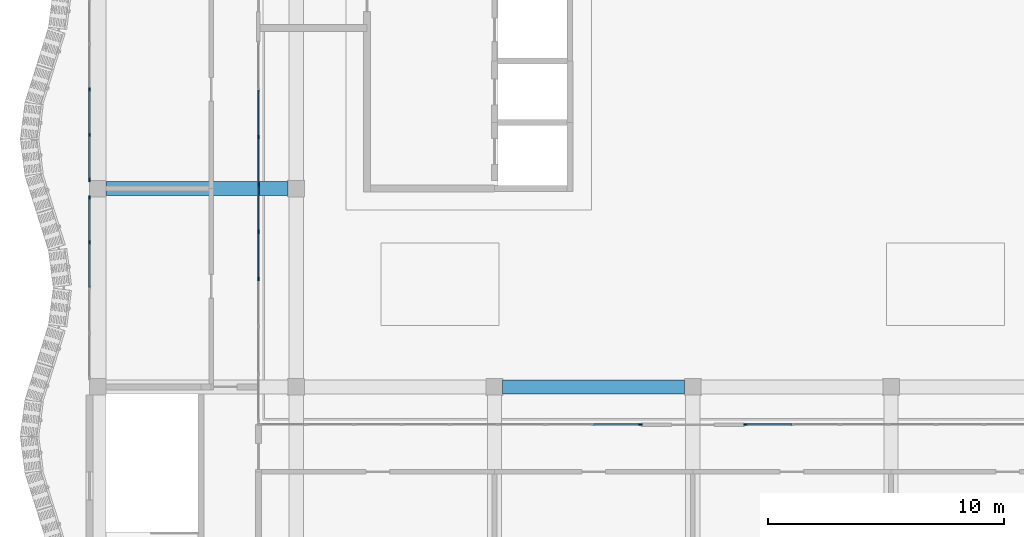
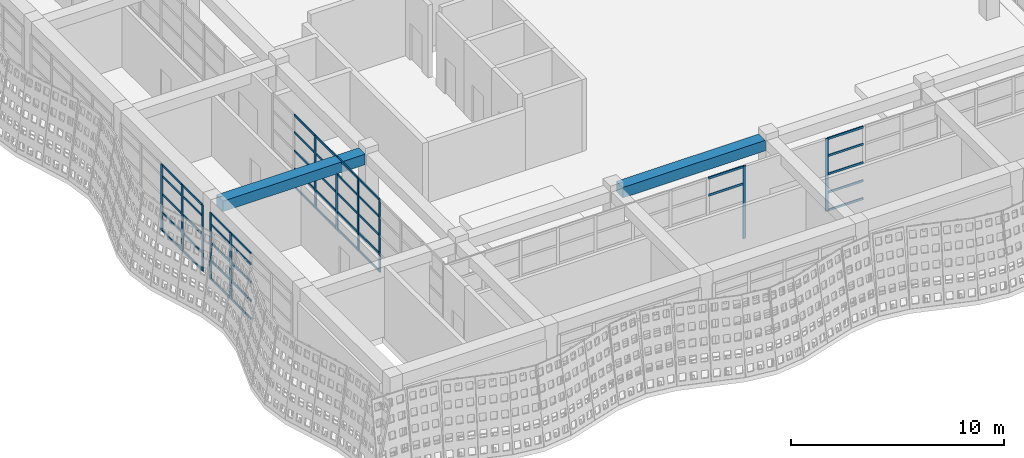
# One storey, part 4 of 85: 58 members, 2 beams, 5 elements without a shape of their own.
"""IFC4 building model written with IfcOpenShell, lengths in metres."""

from ifc_helpers import new_model, si_unit, direction, frame, origin, origin_2d, place, context, subcontext, project, spatial, rectangle, extrude, material, material_profile, profile_set, type_object, element, aggregate, save


model = new_model("IFC4")

# Units and contexts
model_context = context("Model", 3, precision=1e-05, world=origin(), true_north=direction((0.0, 1.0)))
body_context = subcontext(model_context, "Body", "Model", "MODEL_VIEW")
ifc_project = project(units=[si_unit("LENGTHUNIT", "METRE"), si_unit("AREAUNIT", "SQUARE_METRE"), si_unit("VOLUMEUNIT", "CUBIC_METRE"), si_unit("PLANEANGLEUNIT", "RADIAN"), si_unit("MASSUNIT", "GRAM", prefix="KILO")], contexts=[model_context])

# Site, building, storey
site_placement = place(None, origin())
site = spatial("IfcSite", under=ifc_project, at=site_placement, CompositionType="ELEMENT")
building_placement = place(site_placement, origin())
building = spatial("IfcBuilding", under=site, at=building_placement, Name="Rain Tree Exposition and Congress Centre", CompositionType="ELEMENT")
storey_placement = place(building_placement, frame((0.0, 0.0, 15.0)))
storey = spatial("IfcBuildingStorey", under=building, at=storey_placement, Name="L03", CompositionType="ELEMENT", Elevation=15.0)

# Beams
ifc_material_1 = material(Name="Precast concrete C50/60", Category="concrete")
ifc_material_profile_1 = material_profile(ifc_material_1, rectangle(XDim=0.60009765625, YDim=0.60009765625, at=origin_2d()), Name="RC 600x600")
ifc_profile_set_1 = profile_set([ifc_material_profile_1], Name="Precast concrete C50/60")
beam_type = type_object("IfcBeamType", Name="Precast beam 600x600", PredefinedType="BEAM", material=ifc_profile_set_1)
beam_1_placement = place(storey_placement, frame((17.14990234375, 8.39990234375, 3.85009765625), z_axis=(1.0, 0.0, 0.0), x_axis=(0.0, 1.0, 0.0)))
element("IfcBeam", 1, at=beam_1_placement, inside=storey, type_object=beam_type, Name="wing/beam/L03/RF/017", PredefinedType="BEAM", context=body_context, shape_type="SweptSolid", body=[
    extrude(rectangle(XDim=0.60009765625, YDim=0.60009765625, at=origin_2d()), origin(), (0.0, 0.0, 1.0), 7.7001953125),
])
beam_2_placement = place(storey_placement, frame((0.35009765625, 16.800048828125, 3.85009765625), z_axis=(1.0, 0.0, 0.0), x_axis=(0.0, 1.0, 0.0)))
element("IfcBeam", 2, at=beam_2_placement, inside=storey, type_object=beam_type, Name="wing/beam/L03/RF/025", PredefinedType="BEAM", context=body_context, shape_type="SweptSolid", body=[
    extrude(rectangle(XDim=0.60009765625, YDim=0.60009765625, at=origin_2d()), origin(), (0.0, 0.0, 1.0), 7.699951171875),
])

# Curtain wall, members
ifc_material_2 = material(Name="Aluminium curtain wall", Category="aluminium")
curtain_wall_type = type_object("IfcCurtainWallType", Name="Wing curtain wall 1925", PredefinedType="NOTDEFINED", material=ifc_material_2)
curtain_wall_1_placement = place(storey_placement, origin())
curtain_wall_1 = element("IfcCurtainWall", 3, at=curtain_wall_1_placement, inside=storey, type_object=curtain_wall_type, Name="Curtain wall CWW408", PredefinedType="NOTDEFINED")
ifc_material_3 = material(Name="Aluminium", Category="aluminium")
ifc_material_profile_2 = material_profile(ifc_material_3, rectangle(XDim=0.06005859375, YDim=0.159912109375, at=origin_2d()), Name="Aluminium 60x160")
ifc_profile_set_2 = profile_set([ifc_material_profile_2], Name="Aluminium")
member_type_1 = type_object("IfcMemberType", Name="Wing mullion 60x160", PredefinedType="MULLION", material=ifc_profile_set_2)
member_1_placement = place(storey_placement, frame((-0.35009765625, 14.52490234375, 0.0), z_axis=(0.0, 0.0, 1.0), x_axis=(-1.0, 0.0, 0.0)))
member_1 = element("IfcMember", 4, at=member_1_placement, type_object=member_type_1, Name="CWW408 mullion 4", PredefinedType="MULLION", context=body_context, shape_type="SweptSolid", body=[
    extrude(rectangle(XDim=0.06005859375, YDim=0.159912109375, at=origin_2d()), origin(), (0.0, 0.0, 1.0), 3.800048828125),
])
member_2_placement = place(storey_placement, frame((-0.35009765625, 16.419921875, 0.0), z_axis=(0.0, 0.0, 1.0), x_axis=(-1.0, 0.0, 0.0)))
member_2 = element("IfcMember", 5, at=member_2_placement, type_object=member_type_1, Name="CWW408 mullion 5", PredefinedType="MULLION", context=body_context, shape_type="SweptSolid", body=[
    extrude(rectangle(XDim=0.06005859375, YDim=0.159912109375, at=origin_2d()), origin(), (0.0, 0.0, 1.0), 3.800048828125),
])

curtain_wall_2_placement = place(storey_placement, origin())
curtain_wall_2 = element("IfcCurtainWall", 6, at=curtain_wall_2_placement, inside=storey, type_object=curtain_wall_type, Name="Curtain wall CWW409", PredefinedType="NOTDEFINED")
member_3_placement = place(storey_placement, frame((-0.35009765625, 17.179931640625, 0.0), z_axis=(0.0, 0.0, 1.0), x_axis=(-1.0, 0.0, 0.0)))
member_3 = element("IfcMember", 7, at=member_3_placement, type_object=member_type_1, Name="CWW409 mullion 1", PredefinedType="MULLION", context=body_context, shape_type="SweptSolid", body=[
    extrude(rectangle(XDim=0.06005859375, YDim=0.159912109375, at=origin_2d()), origin(), (0.0, 0.0, 1.0), 3.800048828125),
])
member_4_placement = place(storey_placement, frame((-0.35009765625, 19.074951171875, 0.0), z_axis=(0.0, 0.0, 1.0), x_axis=(-1.0, 0.0, 0.0)))
member_4 = element("IfcMember", 8, at=member_4_placement, type_object=member_type_1, Name="CWW409 mullion 2", PredefinedType="MULLION", context=body_context, shape_type="SweptSolid", body=[
    extrude(rectangle(XDim=0.06005859375, YDim=0.159912109375, at=origin_2d()), origin(), (0.0, 0.0, 1.0), 3.800048828125),
])
member_5_placement = place(storey_placement, frame((-0.35009765625, 21.0, 0.0), z_axis=(0.0, 0.0, 1.0), x_axis=(-1.0, 0.0, 0.0)))
member_5 = element("IfcMember", 9, at=member_5_placement, type_object=member_type_1, Name="CWW409 mullion 3", PredefinedType="MULLION", context=body_context, shape_type="SweptSolid", body=[
    extrude(rectangle(XDim=0.06005859375, YDim=0.159912109375, at=origin_2d()), origin(), (0.0, 0.0, 1.0), 3.800048828125),
])

# Curtain wall, member
curtain_wall_3_placement = place(storey_placement, origin())
curtain_wall_3 = element("IfcCurtainWall", 10, at=curtain_wall_3_placement, inside=storey, type_object=curtain_wall_type, Name="Curtain wall CWW501", PredefinedType="NOTDEFINED")
member_6_placement = place(storey_placement, frame((22.969970703125, 6.800048828125, 0.0), z_axis=(0.0, 0.0, 1.0), x_axis=(0.0, 1.0, 0.0)))
member_6 = element("IfcMember", 11, at=member_6_placement, type_object=member_type_1, Name="CWW501 mullion 9", PredefinedType="MULLION", context=body_context, shape_type="SweptSolid", body=[
    extrude(rectangle(XDim=0.06005859375, YDim=0.159912109375, at=origin_2d()), origin(), (0.0, 0.0, 1.0), 4.14990234375),
])

curtain_wall_4_placement = place(storey_placement, origin())
curtain_wall_4 = element("IfcCurtainWall", 12, at=curtain_wall_4_placement, inside=storey, type_object=curtain_wall_type, Name="Curtain wall CWW502", PredefinedType="NOTDEFINED")
member_7_placement = place(storey_placement, frame((27.429931640625, 6.800048828125, 0.0), z_axis=(0.0, 0.0, 1.0), x_axis=(0.0, 1.0, 0.0)))
member_7 = element("IfcMember", 13, at=member_7_placement, type_object=member_type_1, Name="CWW502 mullion 1", PredefinedType="MULLION", context=body_context, shape_type="SweptSolid", body=[
    extrude(rectangle(XDim=0.06005859375, YDim=0.159912109375, at=origin_2d()), origin(), (0.0, 0.0, 1.0), 4.14990234375),
])

# Curtain wall, members
curtain_wall_5_placement = place(storey_placement, origin())
curtain_wall_5 = element("IfcCurtainWall", 14, at=curtain_wall_5_placement, inside=storey, type_object=curtain_wall_type, Name="Curtain wall CWW505", PredefinedType="NOTDEFINED")
member_8_placement = place(storey_placement, frame((6.800048828125, 12.96875, 0.0), z_axis=(0.0, 0.0, 1.0), x_axis=(-1.0, 0.0, 0.0)))
member_8 = element("IfcMember", 15, at=member_8_placement, type_object=member_type_1, Name="CWW505 mullion 4", PredefinedType="MULLION", context=body_context, shape_type="SweptSolid", body=[
    extrude(rectangle(XDim=0.06005859375, YDim=0.159912109375, at=origin_2d()), origin(), (0.0, 0.0, 1.0), 4.14990234375),
])
member_9_placement = place(storey_placement, frame((6.800048828125, 14.97509765625, 0.0), z_axis=(0.0, 0.0, 1.0), x_axis=(-1.0, 0.0, 0.0)))
member_9 = element("IfcMember", 16, at=member_9_placement, type_object=member_type_1, Name="CWW505 mullion 5", PredefinedType="MULLION", context=body_context, shape_type="SweptSolid", body=[
    extrude(rectangle(XDim=0.06005859375, YDim=0.159912109375, at=origin_2d()), origin(), (0.0, 0.0, 1.0), 4.14990234375),
])
member_10_placement = place(storey_placement, frame((6.800048828125, 16.981201171875, 0.0), z_axis=(0.0, 0.0, 1.0), x_axis=(-1.0, 0.0, 0.0)))
member_10 = element("IfcMember", 17, at=member_10_placement, type_object=member_type_1, Name="CWW505 mullion 6", PredefinedType="MULLION", context=body_context, shape_type="SweptSolid", body=[
    extrude(rectangle(XDim=0.06005859375, YDim=0.159912109375, at=origin_2d()), origin(), (0.0, 0.0, 1.0), 4.14990234375),
])
member_11_placement = place(storey_placement, frame((6.800048828125, 18.987548828125, 0.0), z_axis=(0.0, 0.0, 1.0), x_axis=(-1.0, 0.0, 0.0)))
member_11 = element("IfcMember", 18, at=member_11_placement, type_object=member_type_1, Name="CWW505 mullion 7", PredefinedType="MULLION", context=body_context, shape_type="SweptSolid", body=[
    extrude(rectangle(XDim=0.06005859375, YDim=0.159912109375, at=origin_2d()), origin(), (0.0, 0.0, 1.0), 4.14990234375),
])

# Member
ifc_material_4 = material(Name="Aluminium", Category="aluminium")
ifc_material_profile_3 = material_profile(ifc_material_4, rectangle(XDim=0.06005859375, YDim=0.1201171875, at=origin_2d()), Name="Aluminium 60x120")
ifc_profile_set_3 = profile_set([ifc_material_profile_3], Name="Aluminium")
member_type_2 = type_object("IfcMemberType", Name="Wing transom 60x120", PredefinedType="USERDEFINED", material=ifc_profile_set_3)
member_12_placement = place(storey_placement, frame((-0.35009765625, 12.6298828125, 0.030029296875), z_axis=(0.0, 1.0, 0.0), x_axis=(-1.0, 0.0, 0.0)))
member_12 = element("IfcMember", 19, at=member_12_placement, type_object=member_type_2, Name="CWW408 transom 3.1", ObjectType="TRANSOM", PredefinedType="USERDEFINED", context=body_context, shape_type="SweptSolid", body=[
    extrude(rectangle(XDim=0.06005859375, YDim=0.1201171875, at=origin_2d()), origin(), (0.0, 0.0, 1.0), 1.865234375),
])

member_13_placement = place(storey_placement, frame((-0.35009765625, 12.6298828125, 1.050048828125), z_axis=(0.0, 1.0, 0.0), x_axis=(-1.0, 0.0, 0.0)))
member_13 = element("IfcMember", 20, at=member_13_placement, type_object=member_type_2, Name="CWW408 transom 3.2", ObjectType="TRANSOM", PredefinedType="USERDEFINED", context=body_context, shape_type="SweptSolid", body=[
    extrude(rectangle(XDim=0.06005859375, YDim=0.1201171875, at=origin_2d()), origin(), (0.0, 0.0, 1.0), 1.865234375),
])

member_14_placement = place(storey_placement, frame((-0.35009765625, 12.6298828125, 2.10009765625), z_axis=(0.0, 1.0, 0.0), x_axis=(-1.0, 0.0, 0.0)))
member_14 = element("IfcMember", 21, at=member_14_placement, type_object=member_type_2, Name="CWW408 transom 3.3", ObjectType="TRANSOM", PredefinedType="USERDEFINED", context=body_context, shape_type="SweptSolid", body=[
    extrude(rectangle(XDim=0.06005859375, YDim=0.1201171875, at=origin_2d()), origin(), (0.0, 0.0, 1.0), 1.865234375),
])

member_15_placement = place(storey_placement, frame((-0.35009765625, 12.6298828125, 3.14990234375), z_axis=(0.0, 1.0, 0.0), x_axis=(-1.0, 0.0, 0.0)))
member_15 = element("IfcMember", 22, at=member_15_placement, type_object=member_type_2, Name="CWW408 transom 3.4", ObjectType="TRANSOM", PredefinedType="USERDEFINED", context=body_context, shape_type="SweptSolid", body=[
    extrude(rectangle(XDim=0.06005859375, YDim=0.1201171875, at=origin_2d()), origin(), (0.0, 0.0, 1.0), 1.865234375),
])

member_16_placement = place(storey_placement, frame((-0.35009765625, 12.6298828125, 3.77001953125), z_axis=(0.0, 1.0, 0.0), x_axis=(-1.0, 0.0, 0.0)))
member_16 = element("IfcMember", 23, at=member_16_placement, type_object=member_type_2, Name="CWW408 transom 3.5", ObjectType="TRANSOM", PredefinedType="USERDEFINED", context=body_context, shape_type="SweptSolid", body=[
    extrude(rectangle(XDim=0.06005859375, YDim=0.1201171875, at=origin_2d()), origin(), (0.0, 0.0, 1.0), 1.865234375),
])

member_17_placement = place(storey_placement, frame((-0.35009765625, 14.554931640625, 0.030029296875), z_axis=(0.0, 1.0, 0.0), x_axis=(-1.0, 0.0, 0.0)))
member_17 = element("IfcMember", 24, at=member_17_placement, type_object=member_type_2, Name="CWW408 transom 4.1", ObjectType="TRANSOM", PredefinedType="USERDEFINED", context=body_context, shape_type="SweptSolid", body=[
    extrude(rectangle(XDim=0.06005859375, YDim=0.1201171875, at=origin_2d()), origin(), (0.0, 0.0, 1.0), 1.8349609375),
])

member_18_placement = place(storey_placement, frame((-0.35009765625, 14.554931640625, 1.050048828125), z_axis=(0.0, 1.0, 0.0), x_axis=(-1.0, 0.0, 0.0)))
member_18 = element("IfcMember", 25, at=member_18_placement, type_object=member_type_2, Name="CWW408 transom 4.2", ObjectType="TRANSOM", PredefinedType="USERDEFINED", context=body_context, shape_type="SweptSolid", body=[
    extrude(rectangle(XDim=0.06005859375, YDim=0.1201171875, at=origin_2d()), origin(), (0.0, 0.0, 1.0), 1.8349609375),
])

member_19_placement = place(storey_placement, frame((-0.35009765625, 14.554931640625, 2.10009765625), z_axis=(0.0, 1.0, 0.0), x_axis=(-1.0, 0.0, 0.0)))
member_19 = element("IfcMember", 26, at=member_19_placement, type_object=member_type_2, Name="CWW408 transom 4.3", ObjectType="TRANSOM", PredefinedType="USERDEFINED", context=body_context, shape_type="SweptSolid", body=[
    extrude(rectangle(XDim=0.06005859375, YDim=0.1201171875, at=origin_2d()), origin(), (0.0, 0.0, 1.0), 1.8349609375),
])

member_20_placement = place(storey_placement, frame((-0.35009765625, 14.554931640625, 3.14990234375), z_axis=(0.0, 1.0, 0.0), x_axis=(-1.0, 0.0, 0.0)))
member_20 = element("IfcMember", 27, at=member_20_placement, type_object=member_type_2, Name="CWW408 transom 4.4", ObjectType="TRANSOM", PredefinedType="USERDEFINED", context=body_context, shape_type="SweptSolid", body=[
    extrude(rectangle(XDim=0.06005859375, YDim=0.1201171875, at=origin_2d()), origin(), (0.0, 0.0, 1.0), 1.8349609375),
])

member_21_placement = place(storey_placement, frame((-0.35009765625, 14.554931640625, 3.77001953125), z_axis=(0.0, 1.0, 0.0), x_axis=(-1.0, 0.0, 0.0)))
member_21 = element("IfcMember", 28, at=member_21_placement, type_object=member_type_2, Name="CWW408 transom 4.5", ObjectType="TRANSOM", PredefinedType="USERDEFINED", context=body_context, shape_type="SweptSolid", body=[
    extrude(rectangle(XDim=0.06005859375, YDim=0.1201171875, at=origin_2d()), origin(), (0.0, 0.0, 1.0), 1.8349609375),
])

aggregate(curtain_wall_1, [member_1, member_2, member_12, member_13, member_14, member_15, member_16, member_17, member_18, member_19, member_20, member_21])

member_22_placement = place(storey_placement, frame((-0.35009765625, 17.2099609375, 0.030029296875), z_axis=(0.0, 1.0, 0.0), x_axis=(-1.0, 0.0, 0.0)))
member_22 = element("IfcMember", 29, at=member_22_placement, type_object=member_type_2, Name="CWW409 transom 1.1", ObjectType="TRANSOM", PredefinedType="USERDEFINED", context=body_context, shape_type="SweptSolid", body=[
    extrude(rectangle(XDim=0.06005859375, YDim=0.1201171875, at=origin_2d()), origin(), (0.0, 0.0, 1.0), 1.8349609375),
])

member_23_placement = place(storey_placement, frame((-0.35009765625, 17.2099609375, 1.050048828125), z_axis=(0.0, 1.0, 0.0), x_axis=(-1.0, 0.0, 0.0)))
member_23 = element("IfcMember", 30, at=member_23_placement, type_object=member_type_2, Name="CWW409 transom 1.2", ObjectType="TRANSOM", PredefinedType="USERDEFINED", context=body_context, shape_type="SweptSolid", body=[
    extrude(rectangle(XDim=0.06005859375, YDim=0.1201171875, at=origin_2d()), origin(), (0.0, 0.0, 1.0), 1.8349609375),
])

member_24_placement = place(storey_placement, frame((-0.35009765625, 17.2099609375, 2.10009765625), z_axis=(0.0, 1.0, 0.0), x_axis=(-1.0, 0.0, 0.0)))
member_24 = element("IfcMember", 31, at=member_24_placement, type_object=member_type_2, Name="CWW409 transom 1.3", ObjectType="TRANSOM", PredefinedType="USERDEFINED", context=body_context, shape_type="SweptSolid", body=[
    extrude(rectangle(XDim=0.06005859375, YDim=0.1201171875, at=origin_2d()), origin(), (0.0, 0.0, 1.0), 1.8349609375),
])

member_25_placement = place(storey_placement, frame((-0.35009765625, 17.2099609375, 3.14990234375), z_axis=(0.0, 1.0, 0.0), x_axis=(-1.0, 0.0, 0.0)))
member_25 = element("IfcMember", 32, at=member_25_placement, type_object=member_type_2, Name="CWW409 transom 1.4", ObjectType="TRANSOM", PredefinedType="USERDEFINED", context=body_context, shape_type="SweptSolid", body=[
    extrude(rectangle(XDim=0.06005859375, YDim=0.1201171875, at=origin_2d()), origin(), (0.0, 0.0, 1.0), 1.8349609375),
])

member_26_placement = place(storey_placement, frame((-0.35009765625, 17.2099609375, 3.77001953125), z_axis=(0.0, 1.0, 0.0), x_axis=(-1.0, 0.0, 0.0)))
member_26 = element("IfcMember", 33, at=member_26_placement, type_object=member_type_2, Name="CWW409 transom 1.5", ObjectType="TRANSOM", PredefinedType="USERDEFINED", context=body_context, shape_type="SweptSolid", body=[
    extrude(rectangle(XDim=0.06005859375, YDim=0.1201171875, at=origin_2d()), origin(), (0.0, 0.0, 1.0), 1.8349609375),
])

member_27_placement = place(storey_placement, frame((-0.35009765625, 19.10498046875, 0.030029296875), z_axis=(0.0, 1.0, 0.0), x_axis=(-1.0, 0.0, 0.0)))
member_27 = element("IfcMember", 34, at=member_27_placement, type_object=member_type_2, Name="CWW409 transom 2.1", ObjectType="TRANSOM", PredefinedType="USERDEFINED", context=body_context, shape_type="SweptSolid", body=[
    extrude(rectangle(XDim=0.06005859375, YDim=0.1201171875, at=origin_2d()), origin(), (0.0, 0.0, 1.0), 1.864990234375),
])

member_28_placement = place(storey_placement, frame((-0.35009765625, 19.10498046875, 1.050048828125), z_axis=(0.0, 1.0, 0.0), x_axis=(-1.0, 0.0, 0.0)))
member_28 = element("IfcMember", 35, at=member_28_placement, type_object=member_type_2, Name="CWW409 transom 2.2", ObjectType="TRANSOM", PredefinedType="USERDEFINED", context=body_context, shape_type="SweptSolid", body=[
    extrude(rectangle(XDim=0.06005859375, YDim=0.1201171875, at=origin_2d()), origin(), (0.0, 0.0, 1.0), 1.864990234375),
])

member_29_placement = place(storey_placement, frame((-0.35009765625, 19.10498046875, 2.10009765625), z_axis=(0.0, 1.0, 0.0), x_axis=(-1.0, 0.0, 0.0)))
member_29 = element("IfcMember", 36, at=member_29_placement, type_object=member_type_2, Name="CWW409 transom 2.3", ObjectType="TRANSOM", PredefinedType="USERDEFINED", context=body_context, shape_type="SweptSolid", body=[
    extrude(rectangle(XDim=0.06005859375, YDim=0.1201171875, at=origin_2d()), origin(), (0.0, 0.0, 1.0), 1.864990234375),
])

member_30_placement = place(storey_placement, frame((-0.35009765625, 19.10498046875, 3.14990234375), z_axis=(0.0, 1.0, 0.0), x_axis=(-1.0, 0.0, 0.0)))
member_30 = element("IfcMember", 37, at=member_30_placement, type_object=member_type_2, Name="CWW409 transom 2.4", ObjectType="TRANSOM", PredefinedType="USERDEFINED", context=body_context, shape_type="SweptSolid", body=[
    extrude(rectangle(XDim=0.06005859375, YDim=0.1201171875, at=origin_2d()), origin(), (0.0, 0.0, 1.0), 1.864990234375),
])

member_31_placement = place(storey_placement, frame((-0.35009765625, 19.10498046875, 3.77001953125), z_axis=(0.0, 1.0, 0.0), x_axis=(-1.0, 0.0, 0.0)))
member_31 = element("IfcMember", 38, at=member_31_placement, type_object=member_type_2, Name="CWW409 transom 2.5", ObjectType="TRANSOM", PredefinedType="USERDEFINED", context=body_context, shape_type="SweptSolid", body=[
    extrude(rectangle(XDim=0.06005859375, YDim=0.1201171875, at=origin_2d()), origin(), (0.0, 0.0, 1.0), 1.864990234375),
])

aggregate(curtain_wall_2, [member_3, member_4, member_5, member_22, member_23, member_24, member_25, member_26, member_27, member_28, member_29, member_30, member_31])

member_32_placement = place(storey_placement, frame((21.0048828125, 6.800048828125, 3.14990234375), z_axis=(1.0, 0.0, 0.0), x_axis=(0.0, 1.0, 0.0)))
member_32 = element("IfcMember", 39, at=member_32_placement, type_object=member_type_2, Name="CWW501 transom 8.4", ObjectType="TRANSOM", PredefinedType="USERDEFINED", context=body_context, shape_type="SweptSolid", body=[
    extrude(rectangle(XDim=0.06005859375, YDim=0.1201171875, at=origin_2d()), origin(), (0.0, 0.0, 1.0), 1.93505859375),
])

member_33_placement = place(storey_placement, frame((21.0048828125, 6.800048828125, 4.1201171875), z_axis=(1.0, 0.0, 0.0), x_axis=(0.0, 1.0, 0.0)))
member_33 = element("IfcMember", 40, at=member_33_placement, type_object=member_type_2, Name="CWW501 transom 8.5", ObjectType="TRANSOM", PredefinedType="USERDEFINED", context=body_context, shape_type="SweptSolid", body=[
    extrude(rectangle(XDim=0.06005859375, YDim=0.1201171875, at=origin_2d()), origin(), (0.0, 0.0, 1.0), 1.93505859375),
])

aggregate(curtain_wall_3, [member_6, member_32, member_33])

member_34_placement = place(storey_placement, frame((27.4599609375, 6.800048828125, 0.030029296875), z_axis=(1.0, 0.0, 0.0), x_axis=(0.0, 1.0, 0.0)))
member_34 = element("IfcMember", 41, at=member_34_placement, type_object=member_type_2, Name="CWW502 transom 1.1", ObjectType="TRANSOM", PredefinedType="USERDEFINED", context=body_context, shape_type="SweptSolid", body=[
    extrude(rectangle(XDim=0.06005859375, YDim=0.1201171875, at=origin_2d()), origin(), (0.0, 0.0, 1.0), 1.93505859375),
])

member_35_placement = place(storey_placement, frame((27.4599609375, 6.800048828125, 1.050048828125), z_axis=(1.0, 0.0, 0.0), x_axis=(0.0, 1.0, 0.0)))
member_35 = element("IfcMember", 42, at=member_35_placement, type_object=member_type_2, Name="CWW502 transom 1.2", ObjectType="TRANSOM", PredefinedType="USERDEFINED", context=body_context, shape_type="SweptSolid", body=[
    extrude(rectangle(XDim=0.06005859375, YDim=0.1201171875, at=origin_2d()), origin(), (0.0, 0.0, 1.0), 1.93505859375),
])

member_36_placement = place(storey_placement, frame((27.4599609375, 6.800048828125, 2.10009765625), z_axis=(1.0, 0.0, 0.0), x_axis=(0.0, 1.0, 0.0)))
member_36 = element("IfcMember", 43, at=member_36_placement, type_object=member_type_2, Name="CWW502 transom 1.3", ObjectType="TRANSOM", PredefinedType="USERDEFINED", context=body_context, shape_type="SweptSolid", body=[
    extrude(rectangle(XDim=0.06005859375, YDim=0.1201171875, at=origin_2d()), origin(), (0.0, 0.0, 1.0), 1.93505859375),
])

member_37_placement = place(storey_placement, frame((27.4599609375, 6.800048828125, 3.14990234375), z_axis=(1.0, 0.0, 0.0), x_axis=(0.0, 1.0, 0.0)))
member_37 = element("IfcMember", 44, at=member_37_placement, type_object=member_type_2, Name="CWW502 transom 1.4", ObjectType="TRANSOM", PredefinedType="USERDEFINED", context=body_context, shape_type="SweptSolid", body=[
    extrude(rectangle(XDim=0.06005859375, YDim=0.1201171875, at=origin_2d()), origin(), (0.0, 0.0, 1.0), 1.93505859375),
])

member_38_placement = place(storey_placement, frame((27.4599609375, 6.800048828125, 4.1201171875), z_axis=(1.0, 0.0, 0.0), x_axis=(0.0, 1.0, 0.0)))
member_38 = element("IfcMember", 45, at=member_38_placement, type_object=member_type_2, Name="CWW502 transom 1.5", ObjectType="TRANSOM", PredefinedType="USERDEFINED", context=body_context, shape_type="SweptSolid", body=[
    extrude(rectangle(XDim=0.06005859375, YDim=0.1201171875, at=origin_2d()), origin(), (0.0, 0.0, 1.0), 1.93505859375),
])

aggregate(curtain_wall_4, [member_7, member_34, member_35, member_36, member_37, member_38])

member_39_placement = place(storey_placement, frame((6.800048828125, 12.998779296875, 0.030029296875), z_axis=(0.0, 1.0, 0.0), x_axis=(-1.0, 0.0, 0.0)))
member_39 = element("IfcMember", 46, at=member_39_placement, type_object=member_type_2, Name="CWW505 transom 4.1", ObjectType="TRANSOM", PredefinedType="USERDEFINED", context=body_context, shape_type="SweptSolid", body=[
    extrude(rectangle(XDim=0.06005859375, YDim=0.1201171875, at=origin_2d()), origin(), (0.0, 0.0, 1.0), 1.9462890625),
])

member_40_placement = place(storey_placement, frame((6.800048828125, 12.998779296875, 1.050048828125), z_axis=(0.0, 1.0, 0.0), x_axis=(-1.0, 0.0, 0.0)))
member_40 = element("IfcMember", 47, at=member_40_placement, type_object=member_type_2, Name="CWW505 transom 4.2", ObjectType="TRANSOM", PredefinedType="USERDEFINED", context=body_context, shape_type="SweptSolid", body=[
    extrude(rectangle(XDim=0.06005859375, YDim=0.1201171875, at=origin_2d()), origin(), (0.0, 0.0, 1.0), 1.9462890625),
])

member_41_placement = place(storey_placement, frame((6.800048828125, 12.998779296875, 2.10009765625), z_axis=(0.0, 1.0, 0.0), x_axis=(-1.0, 0.0, 0.0)))
member_41 = element("IfcMember", 48, at=member_41_placement, type_object=member_type_2, Name="CWW505 transom 4.3", ObjectType="TRANSOM", PredefinedType="USERDEFINED", context=body_context, shape_type="SweptSolid", body=[
    extrude(rectangle(XDim=0.06005859375, YDim=0.1201171875, at=origin_2d()), origin(), (0.0, 0.0, 1.0), 1.9462890625),
])

member_42_placement = place(storey_placement, frame((6.800048828125, 12.998779296875, 3.14990234375), z_axis=(0.0, 1.0, 0.0), x_axis=(-1.0, 0.0, 0.0)))
member_42 = element("IfcMember", 49, at=member_42_placement, type_object=member_type_2, Name="CWW505 transom 4.4", ObjectType="TRANSOM", PredefinedType="USERDEFINED", context=body_context, shape_type="SweptSolid", body=[
    extrude(rectangle(XDim=0.06005859375, YDim=0.1201171875, at=origin_2d()), origin(), (0.0, 0.0, 1.0), 1.9462890625),
])

member_43_placement = place(storey_placement, frame((6.800048828125, 12.998779296875, 4.1201171875), z_axis=(0.0, 1.0, 0.0), x_axis=(-1.0, 0.0, 0.0)))
member_43 = element("IfcMember", 50, at=member_43_placement, type_object=member_type_2, Name="CWW505 transom 4.5", ObjectType="TRANSOM", PredefinedType="USERDEFINED", context=body_context, shape_type="SweptSolid", body=[
    extrude(rectangle(XDim=0.06005859375, YDim=0.1201171875, at=origin_2d()), origin(), (0.0, 0.0, 1.0), 1.9462890625),
])

member_44_placement = place(storey_placement, frame((6.800048828125, 15.0048828125, 0.030029296875), z_axis=(0.0, 1.0, 0.0), x_axis=(-1.0, 0.0, 0.0)))
member_44 = element("IfcMember", 51, at=member_44_placement, type_object=member_type_2, Name="CWW505 transom 5.1", ObjectType="TRANSOM", PredefinedType="USERDEFINED", context=body_context, shape_type="SweptSolid", body=[
    extrude(rectangle(XDim=0.06005859375, YDim=0.1201171875, at=origin_2d()), origin(), (0.0, 0.0, 1.0), 1.9462890625),
])

member_45_placement = place(storey_placement, frame((6.800048828125, 15.0048828125, 1.050048828125), z_axis=(0.0, 1.0, 0.0), x_axis=(-1.0, 0.0, 0.0)))
member_45 = element("IfcMember", 52, at=member_45_placement, type_object=member_type_2, Name="CWW505 transom 5.2", ObjectType="TRANSOM", PredefinedType="USERDEFINED", context=body_context, shape_type="SweptSolid", body=[
    extrude(rectangle(XDim=0.06005859375, YDim=0.1201171875, at=origin_2d()), origin(), (0.0, 0.0, 1.0), 1.9462890625),
])

member_46_placement = place(storey_placement, frame((6.800048828125, 15.0048828125, 2.10009765625), z_axis=(0.0, 1.0, 0.0), x_axis=(-1.0, 0.0, 0.0)))
member_46 = element("IfcMember", 53, at=member_46_placement, type_object=member_type_2, Name="CWW505 transom 5.3", ObjectType="TRANSOM", PredefinedType="USERDEFINED", context=body_context, shape_type="SweptSolid", body=[
    extrude(rectangle(XDim=0.06005859375, YDim=0.1201171875, at=origin_2d()), origin(), (0.0, 0.0, 1.0), 1.9462890625),
])

member_47_placement = place(storey_placement, frame((6.800048828125, 15.0048828125, 3.14990234375), z_axis=(0.0, 1.0, 0.0), x_axis=(-1.0, 0.0, 0.0)))
member_47 = element("IfcMember", 54, at=member_47_placement, type_object=member_type_2, Name="CWW505 transom 5.4", ObjectType="TRANSOM", PredefinedType="USERDEFINED", context=body_context, shape_type="SweptSolid", body=[
    extrude(rectangle(XDim=0.06005859375, YDim=0.1201171875, at=origin_2d()), origin(), (0.0, 0.0, 1.0), 1.9462890625),
])

member_48_placement = place(storey_placement, frame((6.800048828125, 15.0048828125, 4.1201171875), z_axis=(0.0, 1.0, 0.0), x_axis=(-1.0, 0.0, 0.0)))
member_48 = element("IfcMember", 55, at=member_48_placement, type_object=member_type_2, Name="CWW505 transom 5.5", ObjectType="TRANSOM", PredefinedType="USERDEFINED", context=body_context, shape_type="SweptSolid", body=[
    extrude(rectangle(XDim=0.06005859375, YDim=0.1201171875, at=origin_2d()), origin(), (0.0, 0.0, 1.0), 1.9462890625),
])

member_49_placement = place(storey_placement, frame((6.800048828125, 17.01123046875, 0.030029296875), z_axis=(0.0, 1.0, 0.0), x_axis=(-1.0, 0.0, 0.0)))
member_49 = element("IfcMember", 56, at=member_49_placement, type_object=member_type_2, Name="CWW505 transom 6.1", ObjectType="TRANSOM", PredefinedType="USERDEFINED", context=body_context, shape_type="SweptSolid", body=[
    extrude(rectangle(XDim=0.06005859375, YDim=0.1201171875, at=origin_2d()), origin(), (0.0, 0.0, 1.0), 1.9462890625),
])

member_50_placement = place(storey_placement, frame((6.800048828125, 17.01123046875, 1.050048828125), z_axis=(0.0, 1.0, 0.0), x_axis=(-1.0, 0.0, 0.0)))
member_50 = element("IfcMember", 57, at=member_50_placement, type_object=member_type_2, Name="CWW505 transom 6.2", ObjectType="TRANSOM", PredefinedType="USERDEFINED", context=body_context, shape_type="SweptSolid", body=[
    extrude(rectangle(XDim=0.06005859375, YDim=0.1201171875, at=origin_2d()), origin(), (0.0, 0.0, 1.0), 1.9462890625),
])

member_51_placement = place(storey_placement, frame((6.800048828125, 17.01123046875, 2.10009765625), z_axis=(0.0, 1.0, 0.0), x_axis=(-1.0, 0.0, 0.0)))
member_51 = element("IfcMember", 58, at=member_51_placement, type_object=member_type_2, Name="CWW505 transom 6.3", ObjectType="TRANSOM", PredefinedType="USERDEFINED", context=body_context, shape_type="SweptSolid", body=[
    extrude(rectangle(XDim=0.06005859375, YDim=0.1201171875, at=origin_2d()), origin(), (0.0, 0.0, 1.0), 1.9462890625),
])

member_52_placement = place(storey_placement, frame((6.800048828125, 17.01123046875, 3.14990234375), z_axis=(0.0, 1.0, 0.0), x_axis=(-1.0, 0.0, 0.0)))
member_52 = element("IfcMember", 59, at=member_52_placement, type_object=member_type_2, Name="CWW505 transom 6.4", ObjectType="TRANSOM", PredefinedType="USERDEFINED", context=body_context, shape_type="SweptSolid", body=[
    extrude(rectangle(XDim=0.06005859375, YDim=0.1201171875, at=origin_2d()), origin(), (0.0, 0.0, 1.0), 1.9462890625),
])

member_53_placement = place(storey_placement, frame((6.800048828125, 17.01123046875, 4.1201171875), z_axis=(0.0, 1.0, 0.0), x_axis=(-1.0, 0.0, 0.0)))
member_53 = element("IfcMember", 60, at=member_53_placement, type_object=member_type_2, Name="CWW505 transom 6.5", ObjectType="TRANSOM", PredefinedType="USERDEFINED", context=body_context, shape_type="SweptSolid", body=[
    extrude(rectangle(XDim=0.06005859375, YDim=0.1201171875, at=origin_2d()), origin(), (0.0, 0.0, 1.0), 1.9462890625),
])

member_54_placement = place(storey_placement, frame((6.800048828125, 19.017578125, 0.030029296875), z_axis=(0.0, 1.0, 0.0), x_axis=(-1.0, 0.0, 0.0)))
member_54 = element("IfcMember", 61, at=member_54_placement, type_object=member_type_2, Name="CWW505 transom 7.1", ObjectType="TRANSOM", PredefinedType="USERDEFINED", context=body_context, shape_type="SweptSolid", body=[
    extrude(rectangle(XDim=0.06005859375, YDim=0.1201171875, at=origin_2d()), origin(), (0.0, 0.0, 1.0), 1.9462890625),
])

member_55_placement = place(storey_placement, frame((6.800048828125, 19.017578125, 1.050048828125), z_axis=(0.0, 1.0, 0.0), x_axis=(-1.0, 0.0, 0.0)))
member_55 = element("IfcMember", 62, at=member_55_placement, type_object=member_type_2, Name="CWW505 transom 7.2", ObjectType="TRANSOM", PredefinedType="USERDEFINED", context=body_context, shape_type="SweptSolid", body=[
    extrude(rectangle(XDim=0.06005859375, YDim=0.1201171875, at=origin_2d()), origin(), (0.0, 0.0, 1.0), 1.9462890625),
])

member_56_placement = place(storey_placement, frame((6.800048828125, 19.017578125, 2.10009765625), z_axis=(0.0, 1.0, 0.0), x_axis=(-1.0, 0.0, 0.0)))
member_56 = element("IfcMember", 63, at=member_56_placement, type_object=member_type_2, Name="CWW505 transom 7.3", ObjectType="TRANSOM", PredefinedType="USERDEFINED", context=body_context, shape_type="SweptSolid", body=[
    extrude(rectangle(XDim=0.06005859375, YDim=0.1201171875, at=origin_2d()), origin(), (0.0, 0.0, 1.0), 1.9462890625),
])

member_57_placement = place(storey_placement, frame((6.800048828125, 19.017578125, 3.14990234375), z_axis=(0.0, 1.0, 0.0), x_axis=(-1.0, 0.0, 0.0)))
member_57 = element("IfcMember", 64, at=member_57_placement, type_object=member_type_2, Name="CWW505 transom 7.4", ObjectType="TRANSOM", PredefinedType="USERDEFINED", context=body_context, shape_type="SweptSolid", body=[
    extrude(rectangle(XDim=0.06005859375, YDim=0.1201171875, at=origin_2d()), origin(), (0.0, 0.0, 1.0), 1.9462890625),
])

member_58_placement = place(storey_placement, frame((6.800048828125, 19.017578125, 4.1201171875), z_axis=(0.0, 1.0, 0.0), x_axis=(-1.0, 0.0, 0.0)))
member_58 = element("IfcMember", 65, at=member_58_placement, type_object=member_type_2, Name="CWW505 transom 7.5", ObjectType="TRANSOM", PredefinedType="USERDEFINED", context=body_context, shape_type="SweptSolid", body=[
    extrude(rectangle(XDim=0.06005859375, YDim=0.1201171875, at=origin_2d()), origin(), (0.0, 0.0, 1.0), 1.9462890625),
])

aggregate(curtain_wall_5, [member_8, member_9, member_10, member_11, member_39, member_40, member_41, member_42, member_43, member_44, member_45, member_46, member_47, member_48, member_49, member_50, member_51, member_52, member_53, member_54, member_55, member_56, member_57, member_58])

save(model, "model.ifc")
